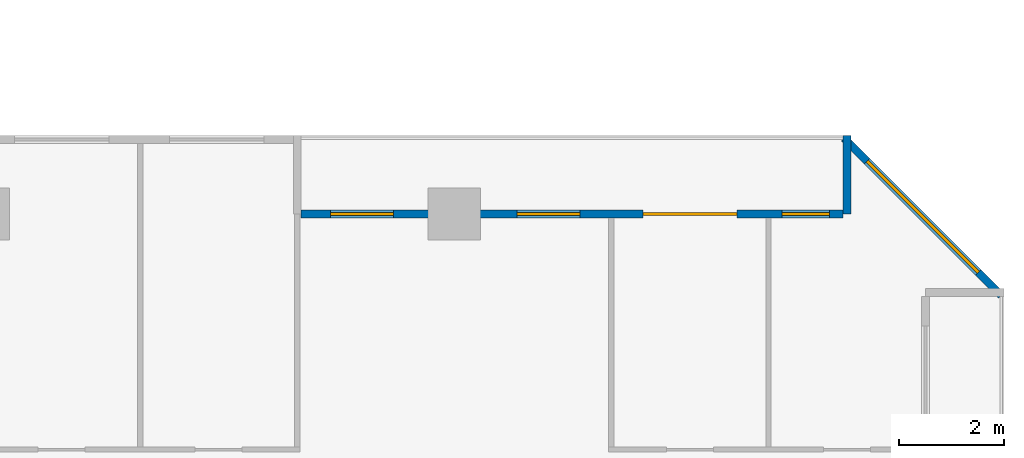
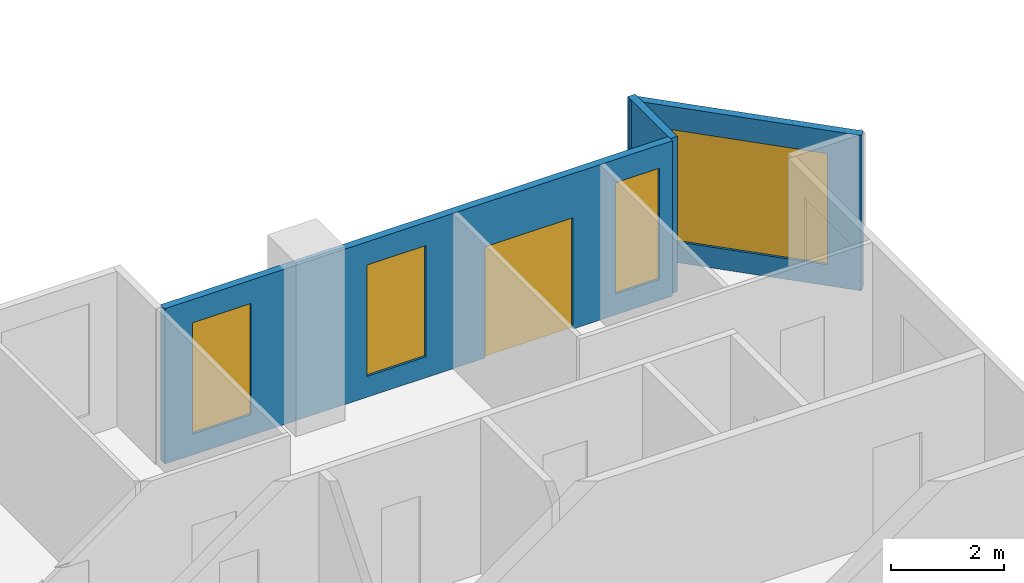
# One storey, part 13 of 16: 4 windows, 3 walls, 1 door, 5 openings.
"""IFC4 building model written with IfcOpenShell, lengths in metres."""

import ifcopenshell
import ifcopenshell.guid

model = None  # the IFC model being written
_history = None  # IfcOwnerHistory: only IFC2X3 demands one
_inside = {}  # id of a spatial element -> (the spatial element, [elements in it])
_under = {}  # id of a project, library or spatial element -> (it, [spatial elements below it])
_declared = {}  # id of a project -> (the project, [libraries it declares])
_typed = {}  # id of a type object -> (the type object, [elements of that type])
_made_of = {}  # id of a material, layer set ... -> (it, [elements and type objects made of it])


def new_model(schema):
    """Start an empty IFC model of exactly this schema.

    Asked for "IFC4X3", IfcOpenShell would pick the latest addendum, in which some entities
    have other attributes; the version numbers below select the first issue.
    IFC2X3 requires an IfcOwnerHistory on every rooted entity: one is made here for all.
    """
    global model, _history
    if schema == "IFC4X3":
        model = ifcopenshell.file(schema_version=(4, 3, 0, 0))
    else:
        model = ifcopenshell.file(schema=schema)
    _inside.clear()
    _under.clear()
    _declared.clear()
    _typed.clear()
    _made_of.clear()
    _history = None
    if model.schema == "IFC2X3":
        org = make("IfcOrganization", Name="unknown")
        user = make(
            "IfcPersonAndOrganization",
            ThePerson=make("IfcPerson", FamilyName="unknown"),
            TheOrganization=org,
        )
        app = make(
            "IfcApplication",
            ApplicationDeveloper=org,
            Version="unknown",
            ApplicationFullName="unknown",
            ApplicationIdentifier="unknown",
        )
        _history = make(
            "IfcOwnerHistory",
            OwningUser=user,
            OwningApplication=app,
            ChangeAction="ADDED",
            CreationDate=0,
        )
    return model


def make(cls, **values):
    """One entity of the class cls with the attributes given. An attribute that is None is left unset."""
    return model.create_entity(
        cls, **{name: value for name, value in values.items() if value is not None}
    )


def rooted(cls, **values):
    """An entity with a GlobalId (a new one), such as an element, a storey or a relation."""
    return make(cls, GlobalId=ifcopenshell.guid.new(), OwnerHistory=_history, **values)


def si_unit(unit_type, name, prefix=None):
    """IfcSIUnit, for example si_unit("LENGTHUNIT", "METRE", prefix="MILLI")."""
    return make("IfcSIUnit", UnitType=unit_type, Prefix=prefix, Name=name)


def assignment(units):
    """IfcUnitAssignment: the units of a project."""
    return None if units is None else make("IfcUnitAssignment", Units=units)


def point(xyz):
    """IfcCartesianPoint."""
    return None if xyz is None else make("IfcCartesianPoint", Coordinates=xyz)


def direction(xyz):
    """IfcDirection."""
    return None if xyz is None else make("IfcDirection", DirectionRatios=xyz)


def frame(location, z_axis=None, x_axis=None):
    """IfcAxis2Placement3D, a coordinate frame: its origin and axes. An axis left out is left unset."""
    return make(
        "IfcAxis2Placement3D",
        Location=point(location),
        Axis=direction(z_axis),
        RefDirection=direction(x_axis),
    )


def frame_2d(location, x_axis=None):
    """IfcAxis2Placement2D, a coordinate frame in the plane: its origin and x axis."""
    return make(
        "IfcAxis2Placement2D", Location=point(location), RefDirection=direction(x_axis)
    )


def origin():
    """The frame at (0, 0, 0) with its axes left unset."""
    return frame((0.0, 0.0, 0.0))


def place(relative_to, where):
    """IfcLocalPlacement: puts the frame where relative to a parent placement (None: the world)."""
    return make(
        "IfcLocalPlacement", PlacementRelTo=relative_to, RelativePlacement=where
    )


def context(
    kind, dimensions, precision=None, world=None, true_north=None, identifier=None
):
    """IfcGeometricRepresentationContext, for example the 3D "Model" context."""
    return make(
        "IfcGeometricRepresentationContext",
        ContextIdentifier=identifier,
        ContextType=kind,
        CoordinateSpaceDimension=dimensions,
        Precision=precision,
        WorldCoordinateSystem=world,
        TrueNorth=true_north,
    )


def subcontext(parent, identifier, kind, view, scale=None):
    """IfcGeometricRepresentationSubContext, for example "Body" below "Model"."""
    return make(
        "IfcGeometricRepresentationSubContext",
        ContextIdentifier=identifier,
        ContextType=kind,
        ParentContext=parent,
        TargetScale=scale,
        TargetView=view,
    )


def project(units=None, contexts=None):
    """IfcProject with its units and contexts."""
    return rooted(
        "IfcProject",
        Name="project",
        RepresentationContexts=contexts,
        UnitsInContext=assignment(units),
    )


def spatial(cls, under=None, at=None, **own):
    """A site, building, storey or space (cls), placed at a placement, below another one or the project."""
    s = rooted(cls, ObjectPlacement=at, **own)
    if under is not None:
        _under.setdefault(under.id(), (under, []))[1].append(s)
    return s


def profile(cls, at=None, kind="AREA", **sizes):
    """A parametric profile (cls). Its sizes go by their IFC names, for example OverallWidth=200.0."""
    return make(cls, ProfileType=kind, Position=at, **sizes)


def rectangle(**sizes):
    """IfcRectangleProfileDef."""
    return profile("IfcRectangleProfileDef", **sizes)


def extrude(swept, where, along, depth):
    """IfcExtrudedAreaSolid: the profile swept, set in the frame where, extruded along a direction by depth."""
    return make(
        "IfcExtrudedAreaSolid",
        SweptArea=swept,
        Position=where,
        ExtrudedDirection=direction(along),
        Depth=depth,
    )


def shape(context_of_items, identifier, shape_type, items):
    """IfcShapeRepresentation: the items that make up one representation, for example the "Body"."""
    return make(
        "IfcShapeRepresentation",
        ContextOfItems=context_of_items,
        RepresentationIdentifier=identifier,
        RepresentationType=shape_type,
        Items=items,
    )


def material(Name=None, Category=None):
    """IfcMaterial."""
    return make("IfcMaterial", Name=Name, Category=Category)


def layer(
    of_material, thickness, ventilated=None, Name=None, Category=None, Priority=None
):
    """IfcMaterialLayer: one layer of a wall or slab, of a material (None: an air gap)."""
    return make(
        "IfcMaterialLayer",
        Material=of_material,
        LayerThickness=thickness,
        IsVentilated=ventilated,
        Name=Name,
        Category=Category,
        Priority=Priority,
    )


def layer_set(layers, Name=None):
    """IfcMaterialLayerSet."""
    return make("IfcMaterialLayerSet", MaterialLayers=layers, LayerSetName=Name)


def made_of(thing, what):
    """Note that an element or type object is made of a material, layer set ...; save() writes the relation."""
    if what is not None:
        _made_of.setdefault(what.id(), (what, []))[1].append(thing)
    return thing


def type_object(cls, material=None, **own):
    """A type object (cls), such as IfcWallType, which elements share."""
    return made_of(rooted(cls, **own), material)


def element(
    cls,
    number,
    at=None,
    inside=None,
    cuts=None,
    type_object=None,
    material=None,
    context=None,
    identifier="Body",
    shape_type=None,
    held_by="IfcProductDefinitionShape",
    body=None,
    shapes=None,
    **own,
):
    """One element of the class cls, such as IfcWall. Its Tag is "e" and its number.

    at: its placement. inside: the storey or other place that contains it. cuts: it is an
    opening in that element (IfcRelVoidsElement). A single representation is given by context,
    identifier, shape_type and body (its items); several are given by shapes. held_by: the class
    of the entity that holds the representations. save() writes the other relations.
    """
    e = rooted(cls, Tag="e%d" % number, ObjectPlacement=at, **own)
    if body is not None:
        shapes = [shape(context, identifier, shape_type, body)]
    if shapes is not None:
        e.Representation = make(held_by, Representations=shapes)
    if inside is not None:
        _inside.setdefault(inside.id(), (inside, []))[1].append(e)
    if cuts is not None:
        rooted(
            "IfcRelVoidsElement", RelatingBuildingElement=cuts, RelatedOpeningElement=e
        )
    if type_object is not None:
        _typed.setdefault(type_object.id(), (type_object, []))[1].append(e)
    return made_of(e, material)


def fill(opening, filler):
    """IfcRelFillsElement: the door or window that sits in an opening."""
    return rooted(
        "IfcRelFillsElement",
        RelatingOpeningElement=opening,
        RelatedBuildingElement=filler,
    )


def aggregate(whole, parts):
    """IfcRelAggregates: a whole, such as a stair, and the parts it consists of."""
    return rooted("IfcRelAggregates", RelatingObject=whole, RelatedObjects=parts)


def save(model, path):
    """Write the relations noted so far, then the file.

    IfcRelAggregates (storeys below a building ...), IfcRelContainedInSpatialStructure (elements
    in a storey), IfcRelDefinesByType, IfcRelAssociatesMaterial and IfcRelDeclares: one each for
    every whole, place, type object, material and project.
    """
    for whole, parts in _under.values():
        aggregate(whole, parts)
    for where, things in _inside.values():
        rooted(
            "IfcRelContainedInSpatialStructure",
            RelatedElements=things,
            RelatingStructure=where,
        )
    for kind, things in _typed.values():
        rooted("IfcRelDefinesByType", RelatedObjects=things, RelatingType=kind)
    for what, things in _made_of.values():
        rooted("IfcRelAssociatesMaterial", RelatedObjects=things, RelatingMaterial=what)
    for by, libraries in _declared.values():
        rooted("IfcRelDeclares", RelatingContext=by, RelatedDefinitions=libraries)
    model.write(path)


model = new_model("IFC4")

# Units and contexts
model_context = context("Model", 3, precision=1e-05, world=origin(), true_north=direction((0.0, 1.0)))
body_context = subcontext(model_context, "Body", "Model", "MODEL_VIEW")
ifc_project = project(units=[si_unit("LENGTHUNIT", "METRE"), si_unit("AREAUNIT", "SQUARE_METRE"), si_unit("VOLUMEUNIT", "CUBIC_METRE"), si_unit("PLANEANGLEUNIT", "RADIAN"), si_unit("MASSUNIT", "GRAM", prefix="KILO")], contexts=[model_context])

# Site, building, storey
site_placement = place(None, origin())
site = spatial("IfcSite", under=ifc_project, at=site_placement, CompositionType="ELEMENT")
building_placement = place(site_placement, origin())
building = spatial("IfcBuilding", under=site, at=building_placement, Name="Chenar Terraces", CompositionType="ELEMENT")
storey_placement = place(building_placement, frame((0.0, 0.0, 103.14990234375)))
storey = spatial("IfcBuildingStorey", under=building, at=storey_placement, Name="L23", CompositionType="ELEMENT", Elevation=103.14990234375)

# Wall, openings, windows, door
ifc_material_1 = material(Name="Aluminium framed glazing", Category="aluminium")
ifc_layer_1 = layer(ifc_material_1, 0.14990234375)
ifc_layer_set_1 = layer_set([ifc_layer_1], Name="Aluminium framed glazing")
wall_type_1 = type_object("IfcWallType", Name="Glazed loggia back wall 150", PredefinedType="SOLIDWALL", material=ifc_layer_set_1)
wall_1_placement = place(storey_placement, frame((70.425048828125, 24.0, 0.0), z_axis=(0.0, 0.0, 1.0), x_axis=(-1.0, 0.0, 0.0)))
wall_1 = element("IfcWall", 1, at=wall_1_placement, inside=storey, type_object=wall_type_1, Name="Glazed loggia back wall", PredefinedType="SOLIDWALL", context=body_context, shape_type="SweptSolid", body=[
    extrude(rectangle(XDim=10.35009765625, YDim=0.14990234375, at=frame_2d((5.175048828125, 0.0))), origin(), (0.0, 0.0, 1.0), 3.35009765625),
])
opening_1_placement = place(wall_1_placement, frame((0.262451171875, 0.0, 0.449951171875)))
opening_1 = element("IfcOpeningElement", 2, at=opening_1_placement, cuts=wall_1, Name="Opening W90x240", PredefinedType="OPENING", context=body_context, shape_type="SweptSolid", body=[
    extrude(rectangle(XDim=0.89990234375, YDim=2.39990234375, at=frame_2d((0.449951171875, 1.199951171875))), frame((0.0, 0.0849609375, 0.0), z_axis=(0.0, -1.0, 0.0), x_axis=(1.0, 0.0, 0.0)), (0.0, 0.0, 1.0), 0.169921875),
])
opening_2_placement = place(wall_1_placement, frame((2.02490234375, 0.0, 0.0)))
opening_2 = element("IfcOpeningElement", 3, at=opening_2_placement, cuts=wall_1, Name="Opening DL23-G1", PredefinedType="OPENING", context=body_context, shape_type="SweptSolid", body=[
    extrude(rectangle(XDim=1.800048828125, YDim=2.39990234375, at=frame_2d((0.89990234375, 1.199951171875))), frame((0.0, 0.0849609375, 0.0), z_axis=(0.0, -1.0, 0.0), x_axis=(1.0, 0.0, 0.0)), (0.0, 0.0, 1.0), 0.169921875),
])
opening_3_placement = place(wall_1_placement, frame((5.02490234375, 0.0, 0.449951171875)))
opening_3 = element("IfcOpeningElement", 4, at=opening_3_placement, cuts=wall_1, Name="Opening W120x240", PredefinedType="OPENING", context=body_context, shape_type="SweptSolid", body=[
    extrude(rectangle(XDim=1.199951171875, YDim=2.39990234375, at=frame_2d((0.60009765625, 1.199951171875))), frame((0.0, 0.0849609375, 0.0), z_axis=(0.0, -1.0, 0.0), x_axis=(1.0, 0.0, 0.0)), (0.0, 0.0, 1.0), 0.169921875),
])
opening_4_placement = place(wall_1_placement, frame((8.58740234375, 0.0, 0.449951171875)))
opening_4 = element("IfcOpeningElement", 5, at=opening_4_placement, cuts=wall_1, Name="Opening W120x240", PredefinedType="OPENING", context=body_context, shape_type="SweptSolid", body=[
    extrude(rectangle(XDim=1.199951171875, YDim=2.39990234375, at=frame_2d((0.60009765625, 1.199951171875))), frame((0.0, 0.0849609375, 0.0), z_axis=(0.0, -1.0, 0.0), x_axis=(1.0, 0.0, 0.0)), (0.0, 0.0, 1.0), 0.169921875),
])
ifc_material_2 = material(Name="Low emissivity double glazing, aluminium frame", Category="aluminium")
window_type_1 = type_object("IfcWindowType", Name="Fixed light 1200 x 2400", PartitioningType="SINGLE_PANEL", PredefinedType="WINDOW", material=ifc_material_2)
window_1_placement = place(opening_3_placement, origin())
window_1 = element("IfcWindow", 6, at=window_1_placement, inside=storey, type_object=window_type_1, Name="Window", OverallHeight=2.39990234375, OverallWidth=1.199951171875, PartitioningType="SINGLE_PANEL", PredefinedType="WINDOW", context=body_context, shape_type="SweptSolid", body=[
    extrude(rectangle(XDim=1.199951171875, YDim=2.39990234375, at=frame_2d((0.60009765625, 1.199951171875))), frame((0.0, 0.030029296875, 0.0), z_axis=(0.0, -1.0, 0.0), x_axis=(1.0, 0.0, 0.0)), (0.0, 0.0, 1.0), 0.06005859375),
])
fill(opening_3, window_1)
window_2_placement = place(opening_4_placement, origin())
window_2 = element("IfcWindow", 7, at=window_2_placement, inside=storey, type_object=window_type_1, Name="Window", OverallHeight=2.39990234375, OverallWidth=1.199951171875, PartitioningType="SINGLE_PANEL", PredefinedType="WINDOW", context=body_context, shape_type="SweptSolid", body=[
    extrude(rectangle(XDim=1.199951171875, YDim=2.39990234375, at=frame_2d((0.60009765625, 1.199951171875))), frame((0.0, 0.030029296875, 0.0), z_axis=(0.0, -1.0, 0.0), x_axis=(1.0, 0.0, 0.0)), (0.0, 0.0, 1.0), 0.06005859375),
])
fill(opening_4, window_2)
ifc_material_3 = material(Name="Low emissivity double glazing, aluminium frame", Category="aluminium")
window_type_2 = type_object("IfcWindowType", Name="Fixed light 900 x 2400", PartitioningType="SINGLE_PANEL", PredefinedType="WINDOW", material=ifc_material_3)
window_3_placement = place(opening_1_placement, origin())
window_3 = element("IfcWindow", 8, at=window_3_placement, inside=storey, type_object=window_type_2, Name="Window", OverallHeight=2.39990234375, OverallWidth=0.89990234375, PartitioningType="SINGLE_PANEL", PredefinedType="WINDOW", context=body_context, shape_type="SweptSolid", body=[
    extrude(rectangle(XDim=0.89990234375, YDim=2.39990234375, at=frame_2d((0.449951171875, 1.199951171875))), frame((0.0, 0.030029296875, 0.0), z_axis=(0.0, -1.0, 0.0), x_axis=(1.0, 0.0, 0.0)), (0.0, 0.0, 1.0), 0.06005859375),
])
fill(opening_1, window_3)
ifc_material_4 = material(Name="Low emissivity double glazing, aluminium frame", Category="aluminium")
door_type = type_object("IfcDoorType", Name="Loggia glazed double door 1800 x 2400", OperationType="DOUBLE_DOOR_SINGLE_SWING", PredefinedType="DOOR", material=ifc_material_4)
door_placement = place(opening_2_placement, frame((1.800048828125, 0.0, 0.0), z_axis=(0.0, 0.0, 1.0), x_axis=(-1.0, 0.0, 0.0)))
door = element("IfcDoor", 9, at=door_placement, inside=storey, type_object=door_type, Name="Loggia glazed door", OperationType="DOUBLE_DOOR_SINGLE_SWING", OverallHeight=2.39990234375, OverallWidth=1.800048828125, PredefinedType="DOOR", context=body_context, shape_type="SweptSolid", body=[
    extrude(rectangle(XDim=1.800048828125, YDim=2.39990234375, at=frame_2d((0.89990234375, 1.199951171875))), frame((0.0, 0.02490234375, 0.0), z_axis=(0.0, -1.0, 0.0), x_axis=(1.0, 0.0, 0.0)), (0.0, 0.0, 1.0), 0.050048828125),
])
fill(opening_2, door)

# Wall
ifc_material_5 = material(Name="Terracotta cladding on insulated backing", Category="masonry")
ifc_layer_2 = layer(ifc_material_5, 0.14990234375)
ifc_layer_set_2 = layer_set([ifc_layer_2], Name="Terracotta cladding on insulated backing")
wall_type_2 = type_object("IfcWallType", Name="Loggia return wall 150", PredefinedType="SOLIDWALL", material=ifc_layer_set_2)
wall_2_placement = place(storey_placement, frame((70.5, 25.5, 0.0), z_axis=(0.0, 0.0, 1.0), x_axis=(0.0, -1.0, 0.0)))
element("IfcWall", 10, at=wall_2_placement, inside=storey, type_object=wall_type_2, Name="Loggia return wall", PredefinedType="SOLIDWALL", context=body_context, shape_type="SweptSolid", body=[
    extrude(rectangle(XDim=1.5, YDim=0.14990234375, at=frame_2d((0.75, 0.0))), origin(), (0.0, 0.0, 1.0), 3.35009765625),
])

# Wall, opening, window
ifc_material_6 = material(Name="Terracotta cladding on insulated backing", Category="masonry")
ifc_layer_3 = layer(ifc_material_6, 0.14990234375)
ifc_layer_set_3 = layer_set([ifc_layer_3], Name="Terracotta cladding on insulated backing")
wall_type_3 = type_object("IfcWallType", Name="Terracotta rainscreen wall 150", PredefinedType="SOLIDWALL", material=ifc_layer_set_3)
wall_3_placement = place(storey_placement, frame((73.447021484375, 22.447021484375, 0.0), z_axis=(0.0, 0.0, 1.0), x_axis=(-0.707106781187, 0.707106781187, 0.0)))
wall_3 = element("IfcWall", 11, at=wall_3_placement, inside=storey, type_object=wall_type_3, Name="Terracotta rainscreen wall", PredefinedType="SOLIDWALL", context=body_context, shape_type="SweptSolid", body=[
    extrude(rectangle(XDim=4.24267578125, YDim=0.14990234375, at=frame_2d((2.121337890625, 0.0))), origin(), (0.0, 0.0, 1.0), 3.35009765625),
])
opening_5_placement = place(wall_3_placement, frame((0.621337890625, 0.0, 0.449951171875)))
opening_5 = element("IfcOpeningElement", 12, at=opening_5_placement, cuts=wall_3, Name="Opening W300x240", PredefinedType="OPENING", context=body_context, shape_type="SweptSolid", body=[
    extrude(rectangle(XDim=3.0, YDim=2.39990234375, at=frame_2d((1.5, 1.199951171875))), frame((0.0, 0.0849609375, 0.0), z_axis=(0.0, -1.0, 0.0), x_axis=(1.0, 0.0, 0.0)), (0.0, 0.0, 1.0), 0.169921875),
])
ifc_material_7 = material(Name="Low emissivity double glazing, aluminium frame", Category="aluminium")
window_type_3 = type_object("IfcWindowType", Name="Fixed light 3000 x 2400", PartitioningType="SINGLE_PANEL", PredefinedType="WINDOW", material=ifc_material_7)
window_4_placement = place(opening_5_placement, origin())
window_4 = element("IfcWindow", 13, at=window_4_placement, inside=storey, type_object=window_type_3, Name="Window", OverallHeight=2.39990234375, OverallWidth=3.0, PartitioningType="SINGLE_PANEL", PredefinedType="WINDOW", context=body_context, shape_type="SweptSolid", body=[
    extrude(rectangle(XDim=3.0, YDim=2.39990234375, at=frame_2d((1.5, 1.199951171875))), frame((0.0, 0.030029296875, 0.0), z_axis=(0.0, -1.0, 0.0), x_axis=(1.0, 0.0, 0.0)), (0.0, 0.0, 1.0), 0.06005859375),
])
fill(opening_5, window_4)

save(model, "model.ifc")
